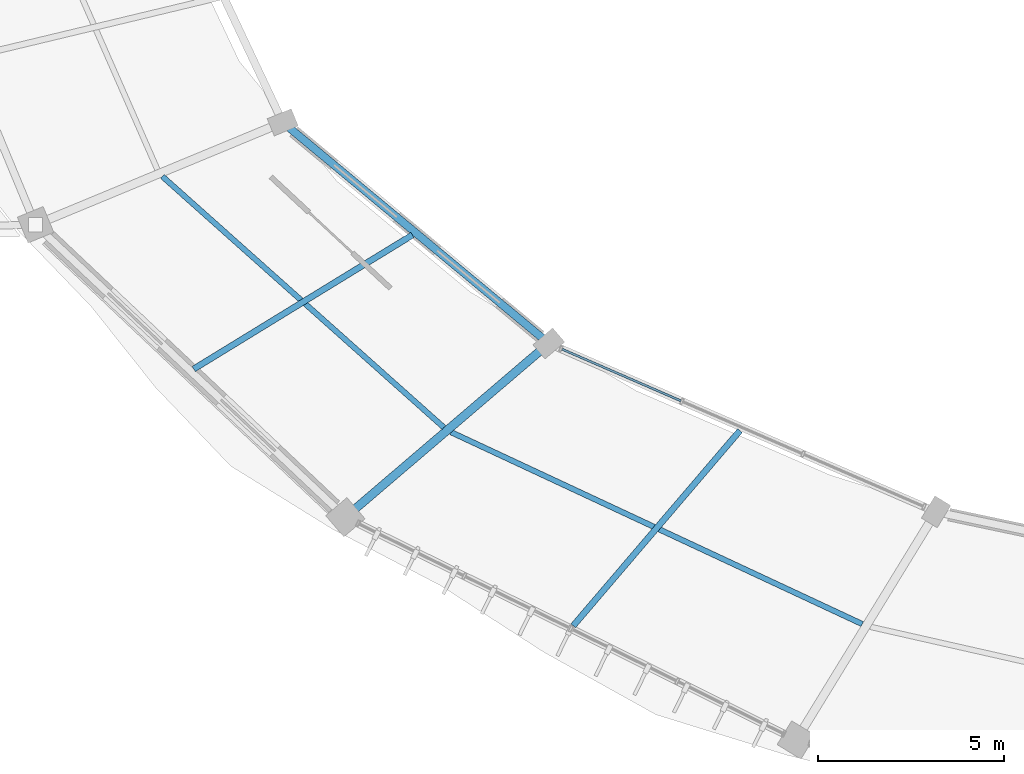
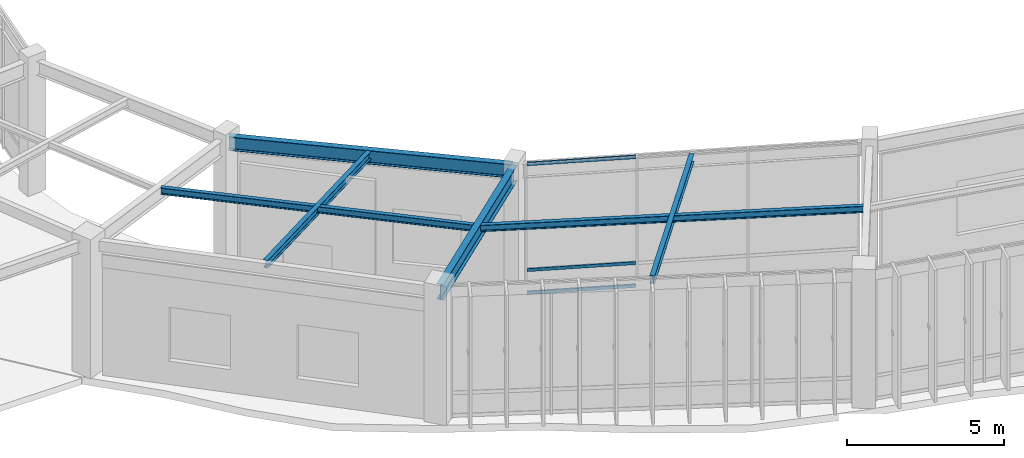
# One storey, part 44 of 157: 6 beams, 3 members, 1 element without a shape of its own.
"""IFC4 building model written with IfcOpenShell, lengths in metres."""

from ifc_helpers import new_model, si_unit, direction, frame, origin, origin_2d, place, context, subcontext, project, spatial, hollow_rectangle, i_section, extrude, material, material_profile, profile_set, type_object, element, aggregate, save


model = new_model("IFC4")

# Units and contexts
model_context = context("Model", 3, precision=1e-05, world=origin(), true_north=direction((0.0, 1.0)))
body_context = subcontext(model_context, "Body", "Model", "MODEL_VIEW")
ifc_project = project(units=[si_unit("LENGTHUNIT", "METRE"), si_unit("AREAUNIT", "SQUARE_METRE"), si_unit("VOLUMEUNIT", "CUBIC_METRE"), si_unit("PLANEANGLEUNIT", "RADIAN"), si_unit("MASSUNIT", "GRAM", prefix="KILO"), si_unit("THERMODYNAMICTEMPERATUREUNIT", "KELVIN"), si_unit("POWERUNIT", "WATT")], contexts=[model_context])

# Site, building, storey
site_placement = place(None, origin())
site = spatial("IfcSite", under=ifc_project, at=site_placement, CompositionType="ELEMENT")
building_placement = place(site_placement, origin())
building = spatial("IfcBuilding", under=site, at=building_placement, Name="Darbajah Civic Hall", CompositionType="ELEMENT")
storey_placement = place(building_placement, origin())
storey = spatial("IfcBuildingStorey", under=building, at=storey_placement, Name="L00", CompositionType="ELEMENT", Elevation=0.0)

# Curtain wall, members
ifc_material_1 = material(Name="Anodised Bronze Aluminium and Low-E Glazing", Category="aluminium")
curtain_wall_type = type_object("IfcCurtainWallType", Name="Unitised Curtain Wall CW-01 10700x5100", PredefinedType="USERDEFINED", material=ifc_material_1)
curtain_wall_placement = place(storey_placement, origin())
curtain_wall = element("IfcCurtainWall", 1, at=curtain_wall_placement, inside=storey, type_object=curtain_wall_type, Name="L00 unitised curtain wall CW-V1I-L00-12", ObjectType="UNITISED CURTAIN WALL", PredefinedType="USERDEFINED")
ifc_material_2 = material(Name="Anodised Bronze Aluminium", Category="aluminium")
ifc_material_profile_1 = material_profile(ifc_material_2, hollow_rectangle(XDim=0.06005859375, YDim=0.1201171875, WallThickness=0.003173828125, at=origin_2d()), Name="ALU TRANSOM 60x120")
ifc_profile_set_1 = profile_set([ifc_material_profile_1], Name="Anodised Bronze Aluminium")
member_type = type_object("IfcMemberType", Name="ALU TRANSOM 60x120", PredefinedType="USERDEFINED", material=ifc_profile_set_1)
member_1_placement = place(storey_placement, frame((56.149169921875, 75.162841796875, 0.06005859375), z_axis=(0.917076742626, -0.398710732405, 0.0), x_axis=(0.398710732405, 0.917076742626, 0.0)))
member_1 = element("IfcMember", 2, at=member_1_placement, type_object=member_type, Name="CW-V1I-L00-12 transom 1.1", ObjectType="TRANSOM", PredefinedType="USERDEFINED", context=body_context, shape_type="SweptSolid", body=[
    extrude(hollow_rectangle(XDim=0.06005859375, YDim=0.1201171875, WallThickness=0.003173828125, at=origin_2d()), origin(), (0.0, 0.0, 1.0), 3.48291015625),
])
member_2_placement = place(storey_placement, frame((56.149169921875, 75.162841796875, 0.949951171875), z_axis=(0.917076742626, -0.398710732405, 0.0), x_axis=(0.398710732405, 0.917076742626, 0.0)))
member_2 = element("IfcMember", 3, at=member_2_placement, type_object=member_type, Name="CW-V1I-L00-12 transom 1.2", ObjectType="TRANSOM", PredefinedType="USERDEFINED", context=body_context, shape_type="SweptSolid", body=[
    extrude(hollow_rectangle(XDim=0.06005859375, YDim=0.1201171875, WallThickness=0.003173828125, at=origin_2d()), origin(), (0.0, 0.0, 1.0), 3.48291015625),
])
member_3_placement = place(storey_placement, frame((56.149169921875, 75.162841796875, 5.06005859375), z_axis=(0.917076742626, -0.398710732405, 0.0), x_axis=(0.398710732405, 0.917076742626, 0.0)))
member_3 = element("IfcMember", 4, at=member_3_placement, type_object=member_type, Name="CW-V1I-L00-12 transom 1.3", ObjectType="TRANSOM", PredefinedType="USERDEFINED", context=body_context, shape_type="SweptSolid", body=[
    extrude(hollow_rectangle(XDim=0.06005859375, YDim=0.1201171875, WallThickness=0.003173828125, at=origin_2d()), origin(), (0.0, 0.0, 1.0), 3.48291015625),
])
aggregate(curtain_wall, [member_1, member_2, member_3])

# Beams
ifc_material_3 = material(Name="Steel S355JR", Category="steel")
ifc_material_profile_2 = material_profile(ifc_material_3, i_section(OverallWidth=0.146484375, OverallDepth=0.256103515625, WebThickness=0.00634765625, FlangeThickness=0.010986328125, FilletRadius=0.007568359375, at=origin_2d()), Name="UB 254x146x37")
ifc_profile_set_2 = profile_set([ifc_material_profile_2], Name="Steel S355JR")
beam_type_1 = type_object("IfcBeamType", Name="UB 254x146x37", PredefinedType="JOIST", material=ifc_profile_set_2)
beam_1_placement = place(storey_placement, frame((45.394775390625, 79.811279296875, 4.991943359375), z_axis=(0.74637325764, -0.665527580405, 0.0), x_axis=(0.665527580405, 0.74637325764, 0.0)))
element("IfcBeam", 5, at=beam_1_placement, inside=storey, type_object=beam_type_1, Name="L00 beam SJ-254", PredefinedType="JOIST", context=body_context, shape_type="SweptSolid", body=[
    extrude(i_section(OverallWidth=0.146484375, OverallDepth=0.256103515625, WebThickness=0.00634765625, FlangeThickness=0.010986328125, FilletRadius=0.007568359375, at=origin_2d()), origin(), (0.0, 0.0, 1.0), 10.149658203125),
])
beam_2_placement = place(storey_placement, frame((53.161865234375, 72.93017578125, 4.991943359375), z_axis=(0.9061795649, -0.422893126164, 0.0), x_axis=(0.422893126164, 0.9061795649, 0.0)))
element("IfcBeam", 6, at=beam_2_placement, inside=storey, type_object=beam_type_1, Name="L00 beam SJ-254", PredefinedType="JOIST", context=body_context, shape_type="SweptSolid", body=[
    extrude(i_section(OverallWidth=0.146484375, OverallDepth=0.256103515625, WebThickness=0.00634765625, FlangeThickness=0.010986328125, FilletRadius=0.007568359375, at=origin_2d()), origin(), (0.0, 0.0, 1.0), 12.21240234375),
])
ifc_material_profile_3 = material_profile(ifc_material_3, i_section(OverallWidth=0.165771484375, OverallDepth=0.306640625, WebThickness=0.006591796875, FlangeThickness=0.01171875, FilletRadius=0.0087890625, at=origin_2d()), Name="UB 305x165x46")
ifc_profile_set_3 = profile_set([ifc_material_profile_3], Name="Steel S355JR")
beam_type_2 = type_object("IfcBeamType", Name="UB 305x165x46", PredefinedType="JOIST", material=ifc_profile_set_3)
beam_3_placement = place(storey_placement, frame((52.123779296875, 78.236328125, 4.966796875), z_axis=(-0.852640388105, -0.522498199588, 0.0), x_axis=(0.522498199588, -0.852640388105, 0.0)))
element("IfcBeam", 7, at=beam_3_placement, inside=storey, type_object=beam_type_2, Name="L00 beam SJ-305", PredefinedType="JOIST", context=body_context, shape_type="SweptSolid", body=[
    extrude(i_section(OverallWidth=0.165771484375, OverallDepth=0.306640625, WebThickness=0.006591796875, FlangeThickness=0.01171875, FilletRadius=0.0087890625, at=origin_2d()), origin(), (0.0, 0.0, 1.0), 6.9033203125),
])
beam_4_placement = place(storey_placement, frame((60.935546875, 72.97119140625, 4.966796875), z_axis=(-0.649438991654, -0.760413700639, 0.0), x_axis=(0.760413700639, -0.649438991654, 0.0)))
element("IfcBeam", 8, at=beam_4_placement, inside=storey, type_object=beam_type_2, Name="L00 beam SJ-305", PredefinedType="JOIST", context=body_context, shape_type="SweptSolid", body=[
    extrude(i_section(OverallWidth=0.165771484375, OverallDepth=0.306640625, WebThickness=0.006591796875, FlangeThickness=0.01171875, FilletRadius=0.0087890625, at=origin_2d()), origin(), (0.0, 0.0, 1.0), 6.903564453125),
])
ifc_material_profile_4 = material_profile(ifc_material_3, i_section(OverallWidth=0.209228515625, OverallDepth=0.533203125, WebThickness=0.010009765625, FlangeThickness=0.015625, FilletRadius=0.0126953125, at=origin_2d()), Name="UB 533x210x92")
ifc_profile_set_4 = profile_set([ifc_material_profile_4], Name="Steel S355JR")
beam_type_3 = type_object("IfcBeamType", Name="UB 533x210x92", PredefinedType="BEAM", material=ifc_profile_set_4)
beam_5_placement = place(storey_placement, frame((48.695556640625, 81.215087890625, 4.853515625), z_axis=(0.769165350471, -0.63904981311, 0.0), x_axis=(0.63904981311, 0.769165350471, 0.0)))
element("IfcBeam", 9, at=beam_5_placement, inside=storey, type_object=beam_type_3, Name="L00 beam SB-533", PredefinedType="BEAM", context=body_context, shape_type="SweptSolid", body=[
    extrude(i_section(OverallWidth=0.209228515625, OverallDepth=0.533203125, WebThickness=0.010009765625, FlangeThickness=0.015625, FilletRadius=0.0126953125, at=origin_2d()), origin(), (0.0, 0.0, 1.0), 9.14892578125),
])
ifc_material_profile_5 = material_profile(ifc_material_3, i_section(OverallWidth=0.228271484375, OverallDepth=0.607666015625, WebThickness=0.010986328125, FlangeThickness=0.017333984375, FilletRadius=0.0126953125, at=origin_2d()), Name="UB 610x229x113")
ifc_profile_set_5 = profile_set([ifc_material_profile_5], Name="Steel S355JR")
beam_type_4 = type_object("IfcBeamType", Name="UB 610x229x113", PredefinedType="BEAM", material=ifc_profile_set_5)
beam_6_placement = place(storey_placement, frame((55.7333984375, 75.265380859375, 4.816162109375), z_axis=(-0.760413281686, -0.649439482197, 0.0), x_axis=(0.649439482197, -0.760413281686, 0.0)))
element("IfcBeam", 10, at=beam_6_placement, inside=storey, type_object=beam_type_4, Name="L00 beam SB-610", PredefinedType="BEAM", context=body_context, shape_type="SweptSolid", body=[
    extrude(i_section(OverallWidth=0.228271484375, OverallDepth=0.607666015625, WebThickness=0.010986328125, FlangeThickness=0.017333984375, FilletRadius=0.0126953125, at=origin_2d()), origin(), (0.0, 0.0, 1.0), 7.0400390625),
])

save(model, "model.ifc")
